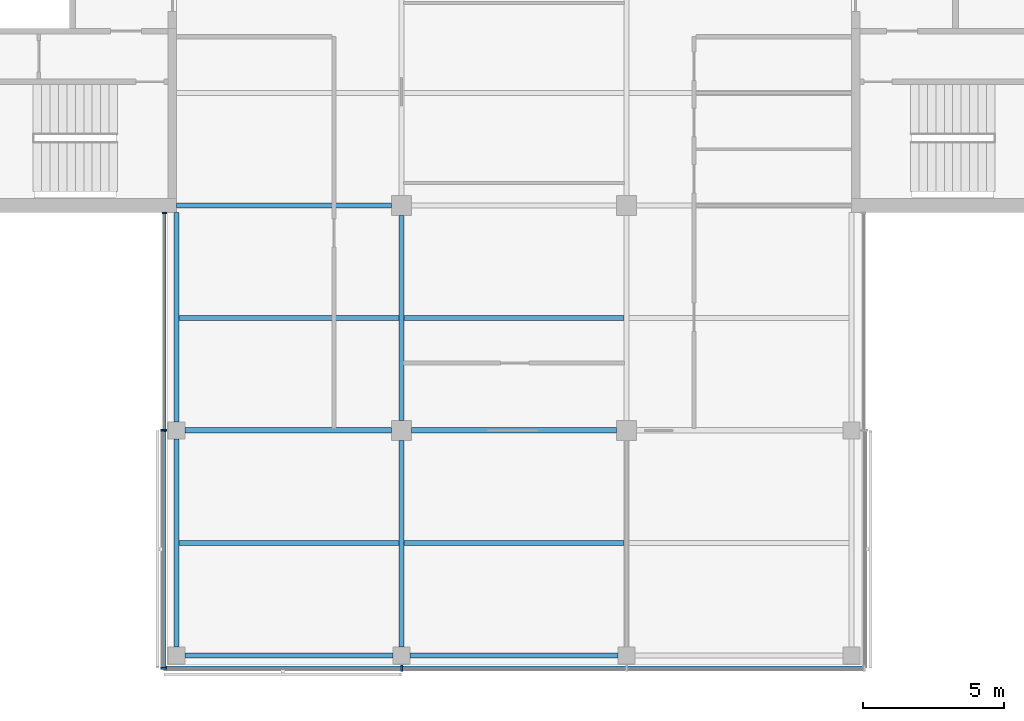
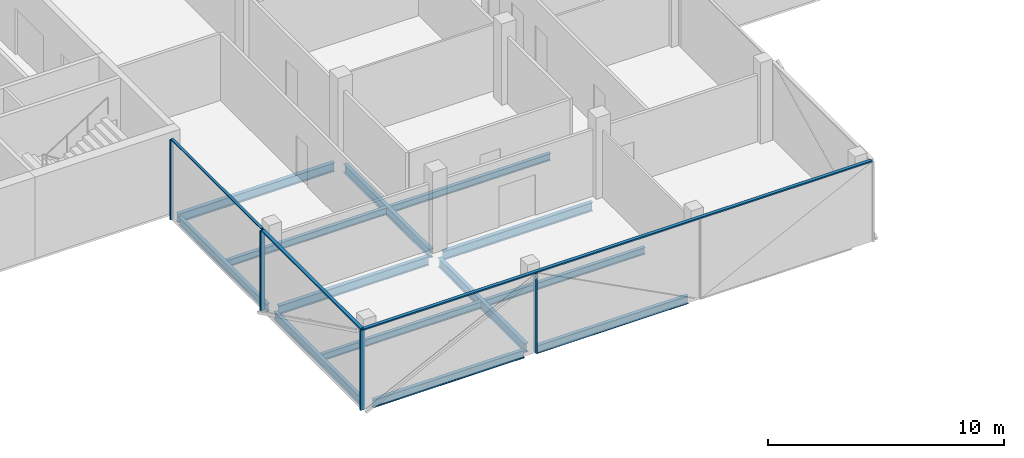
# One storey, part 2 of 15: 13 beams, 8 members, 3 elements without a shape of their own.
"""IFC4 building model written with IfcOpenShell, lengths in metres."""

from ifc_helpers import new_model, si_unit, direction, frame, origin, origin_2d, place, context, subcontext, project, spatial, rectangle, i_section, extrude, material, material_profile, profile_set, type_object, element, aggregate, save


model = new_model("IFC4")

# Units and contexts
model_context = context("Model", 3, precision=1e-05, world=origin(), true_north=direction((0.0, 1.0)))
body_context = subcontext(model_context, "Body", "Model", "MODEL_VIEW")
ifc_project = project(units=[si_unit("LENGTHUNIT", "METRE"), si_unit("AREAUNIT", "SQUARE_METRE"), si_unit("VOLUMEUNIT", "CUBIC_METRE"), si_unit("PLANEANGLEUNIT", "RADIAN"), si_unit("MASSUNIT", "GRAM", prefix="KILO")], contexts=[model_context])

# Site, building, storey
site_placement = place(None, origin())
site = spatial("IfcSite", under=ifc_project, at=site_placement, CompositionType="ELEMENT")
building_placement = place(site_placement, origin())
building = spatial("IfcBuilding", under=site, at=building_placement, Name="Crosswind Convention Tower", CompositionType="ELEMENT")
storey_placement = place(building_placement, frame((0.0, 0.0, 266.10009765625)))
storey = spatial("IfcBuildingStorey", under=building, at=storey_placement, Name="L57", CompositionType="ELEMENT", Elevation=266.10009765625)

# Beams
ifc_material_1 = material(Name="Steel S355", Category="steel")
ifc_material_profile_1 = material_profile(ifc_material_1, i_section(OverallWidth=0.177734375, OverallDepth=0.406494140625, WebThickness=0.0078125, FlangeThickness=0.0126953125, FilletRadius=0.01025390625, at=origin_2d()), Name="UB 406x178x60")
ifc_profile_set_1 = profile_set([ifc_material_profile_1], Name="Steel S355")
beam_type_1 = type_object("IfcBeamType", Name="Edge beam UB 406x178x60", PredefinedType="SPANDREL", material=ifc_profile_set_1)
beam_1_placement = place(storey_placement, frame((113.0, 72.300048828125, -0.50341796875), z_axis=(0.0, 1.0, 0.0), x_axis=(-1.0, 0.0, 0.0)))
element("IfcBeam", 1, at=beam_1_placement, inside=storey, type_object=beam_type_1, Name="B15 L57 edge beam 1", PredefinedType="SPANDREL", context=body_context, shape_type="SweptSolid", body=[
    extrude(i_section(OverallWidth=0.177734375, OverallDepth=0.406494140625, WebThickness=0.0078125, FlangeThickness=0.0126953125, FilletRadius=0.01025390625, at=origin_2d()), origin(), (0.0, 0.0, 1.0), 7.39990234375),
])
beam_2_placement = place(storey_placement, frame((113.0, 80.300048828125, -0.50341796875), z_axis=(0.0, 1.0, 0.0), x_axis=(-1.0, 0.0, 0.0)))
element("IfcBeam", 2, at=beam_2_placement, inside=storey, type_object=beam_type_1, Name="B15 L57 edge beam 2", PredefinedType="SPANDREL", context=body_context, shape_type="SweptSolid", body=[
    extrude(i_section(OverallWidth=0.177734375, OverallDepth=0.406494140625, WebThickness=0.0078125, FlangeThickness=0.0126953125, FilletRadius=0.01025390625, at=origin_2d()), origin(), (0.0, 0.0, 1.0), 7.449951171875),
])
for number, where, z_axis, x_axis, name in (
    (3, (113.300048828125, 72.0, -0.50341796875), (1.0, 0.0, 0.0), (0.0, 1.0, 0.0), "B15 L57 edge beam 5"),
    (4, (121.300048828125, 72.0, -0.50341796875), (1.0, 0.0, 0.0), (0.0, 1.0, 0.0), "B15 L57 edge beam 7"),
):
    element("IfcBeam", number, at=place(storey_placement, frame(where, z_axis=z_axis, x_axis=x_axis)), inside=storey, type_object=beam_type_1, Name=name, PredefinedType="SPANDREL", context=body_context, shape_type="SweptSolid", body=[
        extrude(i_section(OverallWidth=0.177734375, OverallDepth=0.406494140625, WebThickness=0.0078125, FlangeThickness=0.0126953125, FilletRadius=0.01025390625, at=origin_2d()), origin(), (0.0, 0.0, 1.0), 7.39990234375),
    ])
ifc_material_profile_2 = material_profile(ifc_material_1, i_section(OverallWidth=0.18994140625, OverallDepth=0.45361328125, WebThickness=0.008544921875, FlangeThickness=0.0126953125, FilletRadius=0.01025390625, at=origin_2d()), Name="UB 457x191x67")
ifc_profile_set_2 = profile_set([ifc_material_profile_2], Name="Steel S355")
beam_type_2 = type_object("IfcBeamType", Name="Girder UB 457x191x67", PredefinedType="BEAM", material=ifc_profile_set_2)
for number, where, z_axis, x_axis, name in (
    (5, (113.300048828125, 80.0, -0.52685546875), (1.0, 0.0, 0.0), (0.0, 1.0, 0.0), "B1 L57 girder 1"),
    (6, (121.0, 72.300048828125, -0.52685546875), (0.0, 1.0, 0.0), (-1.0, 0.0, 0.0), "B1 L57 girder 3"),
):
    element("IfcBeam", number, at=place(storey_placement, frame(where, z_axis=z_axis, x_axis=x_axis)), inside=storey, type_object=beam_type_2, Name=name, PredefinedType="BEAM", context=body_context, shape_type="SweptSolid", body=[
        extrude(i_section(OverallWidth=0.18994140625, OverallDepth=0.45361328125, WebThickness=0.008544921875, FlangeThickness=0.0126953125, FilletRadius=0.01025390625, at=origin_2d()), origin(), (0.0, 0.0, 1.0), 7.349853515625),
    ])
for number, where, z_axis, x_axis, name in (
    (7, (121.0, 80.35009765625, -0.52685546875), (0.0, 1.0, 0.0), (-1.0, 0.0, 0.0), "B1 L57 girder 4"),
    (8, (121.35009765625, 80.0, -0.52685546875), (1.0, 0.0, 0.0), (0.0, 1.0, 0.0), "B1 L57 girder 10"),
):
    element("IfcBeam", number, at=place(storey_placement, frame(where, z_axis=z_axis, x_axis=x_axis)), inside=storey, type_object=beam_type_2, Name=name, PredefinedType="BEAM", context=body_context, shape_type="SweptSolid", body=[
        extrude(i_section(OverallWidth=0.18994140625, OverallDepth=0.45361328125, WebThickness=0.008544921875, FlangeThickness=0.0126953125, FilletRadius=0.01025390625, at=origin_2d()), origin(), (0.0, 0.0, 1.0), 7.2998046875),
    ])
ifc_material_profile_3 = material_profile(ifc_material_1, i_section(OverallWidth=0.1904296875, OverallDepth=0.457275390625, WebThickness=0.009033203125, FlangeThickness=0.014404296875, FilletRadius=0.01025390625, at=origin_2d()), Name="UB 457x191x75")
ifc_profile_set_3 = profile_set([ifc_material_profile_3], Name="Steel S355")
beam_type_3 = type_object("IfcBeamType", Name="Girder at core wall UB 457x191x75", PredefinedType="BEAM", material=ifc_profile_set_3)
beam_3_placement = place(storey_placement, frame((113.0, 88.0, -0.52880859375), z_axis=(1.0, 0.0, 0.0), x_axis=(0.0, 1.0, 0.0)))
element("IfcBeam", 9, at=beam_3_placement, inside=storey, type_object=beam_type_3, Name="B22 L57 girder at core wall 1", PredefinedType="BEAM", context=body_context, shape_type="SweptSolid", body=[
    extrude(i_section(OverallWidth=0.1904296875, OverallDepth=0.457275390625, WebThickness=0.009033203125, FlangeThickness=0.014404296875, FilletRadius=0.01025390625, at=origin_2d()), origin(), (0.0, 0.0, 1.0), 7.64990234375),
])

# Curtain wall, members
ifc_material_2 = material(Name="Aluminium unitised curtain wall", Category="aluminium")
curtain_wall_type_1 = type_object("IfcCurtainWallType", Name="CORE END SLOT WALL 160", PredefinedType="USERDEFINED", material=ifc_material_2)
curtain_wall_1_placement = place(storey_placement, origin())
curtain_wall_1 = element("IfcCurtainWall", 10, at=curtain_wall_1_placement, inside=storey, type_object=curtain_wall_type_1, Name="CW6 L57 S-W.1-1 slot", ObjectType="UNITISED", PredefinedType="USERDEFINED")
ifc_material_3 = material(Name="Aluminium mullion", Category="aluminium")
ifc_material_profile_4 = material_profile(ifc_material_3, rectangle(XDim=0.159912109375, YDim=0.050048828125, at=origin_2d()), Name="AL 160X50")
ifc_profile_set_4 = profile_set([ifc_material_profile_4], Name="Aluminium mullion")
member_type_1 = type_object("IfcMemberType", Name="MULLION 50X160", PredefinedType="MULLION", material=ifc_profile_set_4)
member_1_placement = place(storey_placement, frame((112.570068359375, 87.72509765625, -0.300048828125), z_axis=(0.0, 0.0, 1.0), x_axis=(-1.0, 0.0, 0.0)))
member_1 = element("IfcMember", 11, at=member_1_placement, type_object=member_type_1, Name="CW6 mullion 1", PredefinedType="MULLION", context=body_context, shape_type="SweptSolid", body=[
    extrude(rectangle(XDim=0.159912109375, YDim=0.050048828125, at=origin_2d()), origin(), (0.0, 0.0, 1.0), 4.14990234375),
])
member_2_placement = place(storey_placement, frame((112.570068359375, 80.02490234375, -0.300048828125), z_axis=(0.0, 0.0, 1.0), x_axis=(-1.0, 0.0, 0.0)))
member_2 = element("IfcMember", 12, at=member_2_placement, type_object=member_type_1, Name="CW6 mullion 2", PredefinedType="MULLION", context=body_context, shape_type="SweptSolid", body=[
    extrude(rectangle(XDim=0.159912109375, YDim=0.050048828125, at=origin_2d()), origin(), (0.0, 0.0, 1.0), 4.14990234375),
])

curtain_wall_type_2 = type_object("IfcCurtainWallType", Name="OFFICE UNITISED WALL 220", PredefinedType="USERDEFINED", material=ifc_material_2)
curtain_wall_2_placement = place(storey_placement, origin())
curtain_wall_2 = element("IfcCurtainWall", 13, at=curtain_wall_2_placement, inside=storey, type_object=curtain_wall_type_2, Name="CW3 L57 S-W 1", ObjectType="UNITISED", PredefinedType="USERDEFINED")
ifc_material_profile_5 = material_profile(ifc_material_3, rectangle(XDim=0.219970703125, YDim=0.070068359375, at=origin_2d()), Name="AL 220X70")
ifc_profile_set_5 = profile_set([ifc_material_profile_5], Name="Aluminium mullion")
member_type_2 = type_object("IfcMemberType", Name="MULLION 70X220", PredefinedType="MULLION", material=ifc_profile_set_5)
member_3_placement = place(storey_placement, frame((112.5400390625, 80.0, -0.300048828125), z_axis=(0.0, 0.0, 1.0), x_axis=(-1.0, 0.0, 0.0)))
member_3 = element("IfcMember", 14, at=member_3_placement, type_object=member_type_2, Name="CW3 mullion 1", PredefinedType="MULLION", context=body_context, shape_type="SweptSolid", body=[
    extrude(rectangle(XDim=0.219970703125, YDim=0.070068359375, at=origin_2d()), origin(), (0.0, 0.0, 1.0), 4.1298828125),
])
member_4_placement = place(storey_placement, frame((112.5400390625, 71.5400390625, -0.300048828125), z_axis=(0.0, 0.0, 1.0), x_axis=(-1.0, 0.0, 0.0)))
member_4 = element("IfcMember", 15, at=member_4_placement, type_object=member_type_2, Name="CW3 mullion 2", PredefinedType="MULLION", context=body_context, shape_type="SweptSolid", body=[
    extrude(rectangle(XDim=0.219970703125, YDim=0.070068359375, at=origin_2d()), origin(), (0.0, 0.0, 1.0), 4.1298828125),
])

# Curtain wall, member
curtain_wall_3_placement = place(storey_placement, origin())
curtain_wall_3 = element("IfcCurtainWall", 16, at=curtain_wall_3_placement, inside=storey, type_object=curtain_wall_type_2, Name="CW3 L57 S-TIP 1", ObjectType="UNITISED", PredefinedType="USERDEFINED")
member_5_placement = place(storey_placement, frame((121.0, 71.5400390625, -0.300048828125), z_axis=(0.0, 0.0, 1.0), x_axis=(0.0, -1.0, 0.0)))
member_5 = element("IfcMember", 17, at=member_5_placement, type_object=member_type_2, Name="CW3 mullion 2", PredefinedType="MULLION", context=body_context, shape_type="SweptSolid", body=[
    extrude(rectangle(XDim=0.219970703125, YDim=0.070068359375, at=origin_2d()), origin(), (0.0, 0.0, 1.0), 4.1298828125),
])

# Beams
ifc_material_profile_6 = material_profile(ifc_material_1, i_section(OverallWidth=0.17138671875, OverallDepth=0.355712890625, WebThickness=0.00732421875, FlangeThickness=0.011474609375, FilletRadius=0.01025390625, at=origin_2d()), Name="UB 356x171x51")
ifc_profile_set_6 = profile_set([ifc_material_profile_6], Name="Steel S355")
beam_type_4 = type_object("IfcBeamType", Name="Secondary beam UB 356x171x51", PredefinedType="JOIST", material=ifc_profile_set_6)
for number, where, z_axis, x_axis, name in (
    (18, (113.0888671875, 76.0, -0.477783203125), (1.0, 0.0, 0.0), (0.0, 1.0, 0.0), "B8 L57 secondary beam 4"),
    (19, (113.0888671875, 84.0, -0.477783203125), (1.0, 0.0, 0.0), (0.0, 1.0, 0.0), "B8 L57 secondary beam 5"),
):
    element("IfcBeam", number, at=place(storey_placement, frame(where, z_axis=z_axis, x_axis=x_axis)), inside=storey, type_object=beam_type_4, Name=name, PredefinedType="JOIST", context=body_context, shape_type="SweptSolid", body=[
        extrude(i_section(OverallWidth=0.17138671875, OverallDepth=0.355712890625, WebThickness=0.00732421875, FlangeThickness=0.011474609375, FilletRadius=0.01025390625, at=origin_2d()), origin(), (0.0, 0.0, 1.0), 7.816162109375),
    ])
for number, where, z_axis, x_axis, name in (
    (20, (121.094970703125, 76.0, -0.477783203125), (1.0, 0.0, 0.0), (0.0, 1.0, 0.0), "B8 L57 secondary beam 8"),
    (21, (121.094970703125, 84.0, -0.477783203125), (1.0, 0.0, 0.0), (0.0, 1.0, 0.0), "B8 L57 secondary beam 9"),
):
    element("IfcBeam", number, at=place(storey_placement, frame(where, z_axis=z_axis, x_axis=x_axis)), inside=storey, type_object=beam_type_4, Name=name, PredefinedType="JOIST", context=body_context, shape_type="SweptSolid", body=[
        extrude(i_section(OverallWidth=0.17138671875, OverallDepth=0.355712890625, WebThickness=0.00732421875, FlangeThickness=0.011474609375, FilletRadius=0.01025390625, at=origin_2d()), origin(), (0.0, 0.0, 1.0), 7.81005859375),
    ])

# Member
ifc_material_4 = material(Name="Aluminium transom", Category="aluminium")
ifc_material_profile_7 = material_profile(ifc_material_4, rectangle(XDim=0.1201171875, YDim=0.050048828125, at=origin_2d()), Name="AL 120X50")
ifc_profile_set_7 = profile_set([ifc_material_profile_7], Name="Aluminium transom")
member_type_3 = type_object("IfcMemberType", Name="TRANSOM 50X120", PredefinedType="USERDEFINED", material=ifc_profile_set_7)
member_6_placement = place(storey_placement, frame((112.570068359375, 87.699951171875, 3.875), z_axis=(0.0, -1.0, 0.0), x_axis=(1.0, 0.0, 0.0)))
member_6 = element("IfcMember", 22, at=member_6_placement, type_object=member_type_3, Name="CW6 transom", ObjectType="TRANSOM", PredefinedType="USERDEFINED", context=body_context, shape_type="SweptSolid", body=[
    extrude(rectangle(XDim=0.1201171875, YDim=0.050048828125, at=origin_2d()), origin(), (0.0, 0.0, 1.0), 7.64990234375),
])

aggregate(curtain_wall_1, [member_1, member_2, member_6])

ifc_material_profile_8 = material_profile(ifc_material_4, rectangle(XDim=0.159912109375, YDim=0.070068359375, at=origin_2d()), Name="AL 160X70")
ifc_profile_set_8 = profile_set([ifc_material_profile_8], Name="Aluminium transom")
member_type_4 = type_object("IfcMemberType", Name="TRANSOM 70X160", PredefinedType="USERDEFINED", material=ifc_profile_set_8)
member_7_placement = place(storey_placement, frame((112.5400390625, 79.965087890625, 3.864990234375), z_axis=(0.0, -1.0, 0.0), x_axis=(1.0, 0.0, 0.0)))
member_7 = element("IfcMember", 23, at=member_7_placement, type_object=member_type_4, Name="CW3 transom", ObjectType="TRANSOM", PredefinedType="USERDEFINED", context=body_context, shape_type="SweptSolid", body=[
    extrude(rectangle(XDim=0.159912109375, YDim=0.070068359375, at=origin_2d()), origin(), (0.0, 0.0, 1.0), 8.39013671875),
])

aggregate(curtain_wall_2, [member_3, member_4, member_7])

member_8_placement = place(storey_placement, frame((112.574951171875, 71.5400390625, 3.864990234375), z_axis=(1.0, 0.0, 0.0), x_axis=(0.0, 1.0, 0.0)))
member_8 = element("IfcMember", 24, at=member_8_placement, type_object=member_type_4, Name="CW3 transom", ObjectType="TRANSOM", PredefinedType="USERDEFINED", context=body_context, shape_type="SweptSolid", body=[
    extrude(rectangle(XDim=0.159912109375, YDim=0.070068359375, at=origin_2d()), origin(), (0.0, 0.0, 1.0), 24.85009765625),
])

aggregate(curtain_wall_3, [member_5, member_8])

save(model, "model.ifc")
